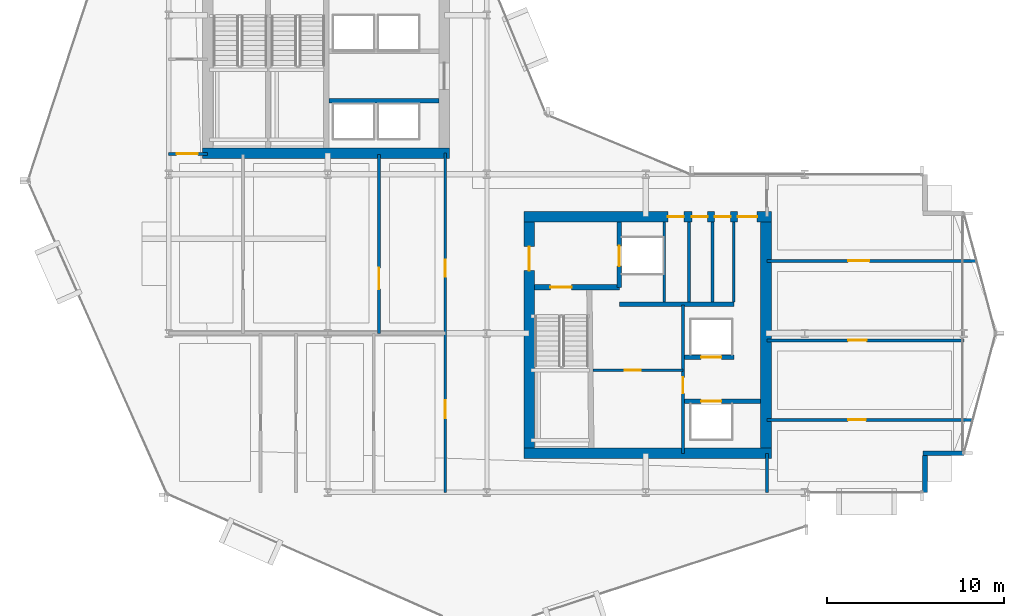
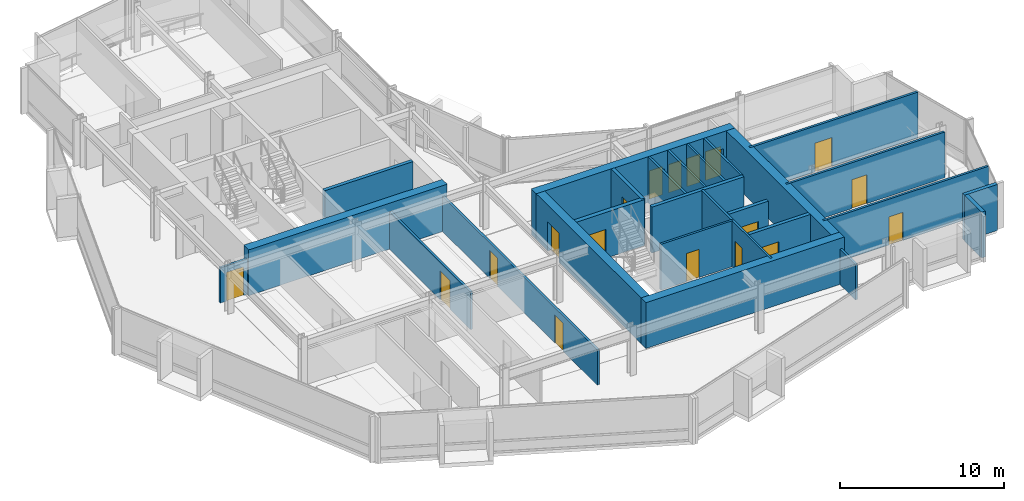
# One storey, part 22 of 29: 26 walls, 18 doors, 18 openings.
"""IFC4 building model written with IfcOpenShell, lengths in metres."""

from ifc_helpers import new_model, si_unit, direction, frame, frame_2d, origin, place, context, subcontext, project, spatial, rectangle, extrude, material, layer, layer_set, type_object, element, fill, save


model = new_model("IFC4")

# Units and contexts
model_context = context("Model", 3, precision=1e-05, world=origin(), true_north=direction((0.0, 1.0)))
body_context = subcontext(model_context, "Body", "Model", "MODEL_VIEW")
ifc_project = project(units=[si_unit("LENGTHUNIT", "METRE"), si_unit("AREAUNIT", "SQUARE_METRE"), si_unit("VOLUMEUNIT", "CUBIC_METRE"), si_unit("PLANEANGLEUNIT", "RADIAN"), si_unit("MASSUNIT", "GRAM", prefix="KILO")], contexts=[model_context])

# Site, building, storey
site_placement = place(None, origin())
site = spatial("IfcSite", under=ifc_project, at=site_placement, CompositionType="ELEMENT")
building_placement = place(site_placement, origin())
building = spatial("IfcBuilding", under=site, at=building_placement, Name="Solvaryn Broadcast Tower", CompositionType="ELEMENT")
storey_placement = place(building_placement, frame((0.0, 0.0, 121.10009765625)))
storey = spatial("IfcBuildingStorey", under=building, at=storey_placement, Name="L29", CompositionType="ELEMENT", Elevation=121.10009765625)

# Walls
ifc_material_1 = material(Name="Concrete f'c 70 MPa", Category="concrete")
ifc_layer_1 = layer(ifc_material_1, 0.60009765625)
ifc_layer_set_1 = layer_set([ifc_layer_1], Name="CW-SHEAR-600")
wall_type_1 = type_object("IfcWallType", Name="CW-SHEAR-600", PredefinedType="SHEAR", material=ifc_layer_set_1)
for number, where, z_axis, x_axis, name in (
    (1, (10.89990234375, 28.199951171875, 0.0), (0.0, 0.0, 1.0), (1.0, 0.0, 0.0), "L29 West Core South Shear Wall"),
    (2, (29.10009765625, 11.199951171875, 0.0), (0.0, 0.0, 1.0), (1.0, 0.0, 0.0), "L29 East Core South Shear Wall"),
):
    element("IfcWall", number, at=place(storey_placement, frame(where, z_axis=z_axis, x_axis=x_axis)), inside=storey, type_object=wall_type_1, Name=name, PredefinedType="SHEAR", context=body_context, shape_type="SweptSolid", body=[
        extrude(rectangle(XDim=14.0, YDim=0.60009765625, at=frame_2d((7.0, 0.0))), origin(), (0.0, 0.0, 1.0), 3.419921875),
    ])

# Wall, openings, doors
wall_1_placement = place(storey_placement, frame((43.10009765625, 24.60009765625, 0.0), z_axis=(0.0, 0.0, 1.0), x_axis=(-1.0, 0.0, 0.0)))
wall_1 = element("IfcWall", 3, at=wall_1_placement, inside=storey, type_object=wall_type_1, Name="L29 East Core North Shear Wall", PredefinedType="SHEAR", context=body_context, shape_type="SweptSolid", body=[
    extrude(rectangle(XDim=14.0, YDim=0.60009765625, at=frame_2d((7.0, 0.0))), origin(), (0.0, 0.0, 1.0), 3.419921875),
])
opening_1_placement = place(wall_1_placement, frame((0.800048828125, 0.0, 0.0)))
opening_1 = element("IfcOpeningElement", 4, at=opening_1_placement, cuts=wall_1, Name="Opening FD90C", PredefinedType="OPENING", context=body_context, shape_type="SweptSolid", body=[
    extrude(rectangle(XDim=1.10009765625, YDim=2.14990234375, at=frame_2d((0.550048828125, 1.074951171875))), frame((0.0, 0.31005859375, 0.0), z_axis=(0.0, -1.0, 0.0), x_axis=(1.0, 0.0, 0.0)), (0.0, 0.0, 1.0), 0.6201171875),
])
opening_2_placement = place(wall_1_placement, frame((2.300048828125, 0.0, 0.0)))
opening_2 = element("IfcOpeningElement", 5, at=opening_2_placement, cuts=wall_1, Name="Opening FD60C", PredefinedType="OPENING", context=body_context, shape_type="SweptSolid", body=[
    extrude(rectangle(XDim=0.89990234375, YDim=2.10009765625, at=frame_2d((0.449951171875, 1.050048828125))), frame((0.0, 0.31005859375, 0.0), z_axis=(0.0, -1.0, 0.0), x_axis=(1.0, 0.0, 0.0)), (0.0, 0.0, 1.0), 0.6201171875),
])
opening_3_placement = place(wall_1_placement, frame((3.60009765625, 0.0, 0.0)))
opening_3 = element("IfcOpeningElement", 6, at=opening_3_placement, cuts=wall_1, Name="Opening FD60C", PredefinedType="OPENING", context=body_context, shape_type="SweptSolid", body=[
    extrude(rectangle(XDim=0.89990234375, YDim=2.10009765625, at=frame_2d((0.449951171875, 1.050048828125))), frame((0.0, 0.31005859375, 0.0), z_axis=(0.0, -1.0, 0.0), x_axis=(1.0, 0.0, 0.0)), (0.0, 0.0, 1.0), 0.6201171875),
])
opening_4_placement = place(wall_1_placement, frame((4.949951171875, 0.0, 0.0)))
opening_4 = element("IfcOpeningElement", 7, at=opening_4_placement, cuts=wall_1, Name="Opening FD60C", PredefinedType="OPENING", context=body_context, shape_type="SweptSolid", body=[
    extrude(rectangle(XDim=0.89990234375, YDim=2.10009765625, at=frame_2d((0.449951171875, 1.050048828125))), frame((0.0, 0.31005859375, 0.0), z_axis=(0.0, -1.0, 0.0), x_axis=(1.0, 0.0, 0.0)), (0.0, 0.0, 1.0), 0.6201171875),
])
ifc_material_2 = material(Name="Flush Acoustic Steel and Timber Door Assembly", Category="steel")
door_type_1 = type_object("IfcDoorType", Name="FD60-SERV-900X2100", OperationType="NOTDEFINED", PredefinedType="DOOR", material=ifc_material_2)
door_1_placement = place(opening_2_placement, origin())
door_1 = element("IfcDoor", 8, at=door_1_placement, inside=storey, type_object=door_type_1, Name="L29 Core Wellness Room Door", OperationType="SINGLE_SWING_RIGHT", OverallHeight=2.10009765625, OverallWidth=0.89990234375, PredefinedType="DOOR", context=body_context, shape_type="SweptSolid", body=[
    extrude(rectangle(XDim=0.89990234375, YDim=2.10009765625, at=frame_2d((0.449951171875, 1.050048828125))), frame((0.0, 0.02490234375, 0.0), z_axis=(0.0, -1.0, 0.0), x_axis=(1.0, 0.0, 0.0)), (0.0, 0.0, 1.0), 0.050048828125),
])
fill(opening_2, door_1)
door_2_placement = place(opening_3_placement, origin())
door_2 = element("IfcDoor", 9, at=door_2_placement, inside=storey, type_object=door_type_1, Name="L29 Staff Restroom Door", OperationType="SINGLE_SWING_LEFT", OverallHeight=2.10009765625, OverallWidth=0.89990234375, PredefinedType="DOOR", context=body_context, shape_type="SweptSolid", body=[
    extrude(rectangle(XDim=0.89990234375, YDim=2.10009765625, at=frame_2d((0.449951171875, 1.050048828125))), frame((0.0, 0.02490234375, 0.0), z_axis=(0.0, -1.0, 0.0), x_axis=(1.0, 0.0, 0.0)), (0.0, 0.0, 1.0), 0.050048828125),
])
fill(opening_3, door_2)
door_3_placement = place(opening_4_placement, origin())
door_3 = element("IfcDoor", 10, at=door_3_placement, inside=storey, type_object=door_type_1, Name="L29 Accessible WC Door", OperationType="SINGLE_SWING_RIGHT", OverallHeight=2.10009765625, OverallWidth=0.89990234375, PredefinedType="DOOR", context=body_context, shape_type="SweptSolid", body=[
    extrude(rectangle(XDim=0.89990234375, YDim=2.10009765625, at=frame_2d((0.449951171875, 1.050048828125))), frame((0.0, 0.02490234375, 0.0), z_axis=(0.0, -1.0, 0.0), x_axis=(1.0, 0.0, 0.0)), (0.0, 0.0, 1.0), 0.050048828125),
])
fill(opening_4, door_3)
ifc_material_3 = material(Name="Flush Acoustic Steel and Timber Door Assembly", Category="steel")
door_type_2 = type_object("IfcDoorType", Name="FD90-PLANT-1100X2150", OperationType="NOTDEFINED", PredefinedType="DOOR", material=ifc_material_3)
door_4_placement = place(opening_1_placement, origin())
door_4 = element("IfcDoor", 11, at=door_4_placement, inside=storey, type_object=door_type_2, Name="L29 East Core Lobby Corridor Door", OperationType="SINGLE_SWING_LEFT", OverallHeight=2.14990234375, OverallWidth=1.10009765625, PredefinedType="DOOR", context=body_context, shape_type="SweptSolid", body=[
    extrude(rectangle(XDim=1.10009765625, YDim=2.14990234375, at=frame_2d((0.550048828125, 1.074951171875))), frame((0.0, 0.02490234375, 0.0), z_axis=(0.0, -1.0, 0.0), x_axis=(1.0, 0.0, 0.0)), (0.0, 0.0, 1.0), 0.050048828125),
])
fill(opening_1, door_4)

# Wall, opening, door
wall_2_placement = place(storey_placement, frame((29.39990234375, 24.300048828125, 0.0), z_axis=(0.0, 0.0, 1.0), x_axis=(0.0, -1.0, 0.0)))
wall_2 = element("IfcWall", 12, at=wall_2_placement, inside=storey, type_object=wall_type_1, Name="L29 East Core West Shear Wall", PredefinedType="SHEAR", context=body_context, shape_type="SweptSolid", body=[
    extrude(rectangle(XDim=12.800048828125, YDim=0.60009765625, at=frame_2d((6.39990234375, 0.0))), origin(), (0.0, 0.0, 1.0), 3.419921875),
])
opening_5_placement = place(wall_2_placement, frame((1.39990234375, 0.0, 0.0)))
opening_5 = element("IfcOpeningElement", 13, at=opening_5_placement, cuts=wall_2, Name="Opening FD90B", PredefinedType="OPENING", context=body_context, shape_type="SweptSolid", body=[
    extrude(rectangle(XDim=1.35009765625, YDim=2.14990234375, at=frame_2d((0.675048828125, 1.074951171875))), frame((0.0, 0.31005859375, 0.0), z_axis=(0.0, -1.0, 0.0), x_axis=(1.0, 0.0, 0.0)), (0.0, 0.0, 1.0), 0.6201171875),
])
ifc_material_4 = material(Name="Flush Acoustic Steel and Timber Door Assembly", Category="steel")
door_type_3 = type_object("IfcDoorType", Name="FD90-LOBBY-1350X2150", OperationType="NOTDEFINED", PredefinedType="DOOR", material=ifc_material_4)
door_5_placement = place(opening_5_placement, origin())
door_5 = element("IfcDoor", 14, at=door_5_placement, inside=storey, type_object=door_type_3, Name="L29 East FSAE Lobby Door", OperationType="SINGLE_SWING_RIGHT", OverallHeight=2.14990234375, OverallWidth=1.35009765625, PredefinedType="DOOR", context=body_context, shape_type="SweptSolid", body=[
    extrude(rectangle(XDim=1.35009765625, YDim=2.14990234375, at=frame_2d((0.675048828125, 1.074951171875))), frame((0.0, 0.02490234375, 0.0), z_axis=(0.0, -1.0, 0.0), x_axis=(1.0, 0.0, 0.0)), (0.0, 0.0, 1.0), 0.050048828125),
])
fill(opening_5, door_5)

# Walls
wall_3_placement = place(storey_placement, frame((42.800048828125, 11.5, 0.0), z_axis=(0.0, 0.0, 1.0), x_axis=(0.0, 1.0, 0.0)))
element("IfcWall", 15, at=wall_3_placement, inside=storey, type_object=wall_type_1, Name="L29 East Core East Shear Wall", PredefinedType="SHEAR", context=body_context, shape_type="SweptSolid", body=[
    extrude(rectangle(XDim=12.800048828125, YDim=0.60009765625, at=frame_2d((6.39990234375, 0.0))), origin(), (0.0, 0.0, 1.0), 3.419921875),
])
ifc_material_5 = material(Name="Concrete f'c 50 MPa", Category="concrete")
ifc_layer_2 = layer(ifc_material_5, 0.260009765625)
ifc_layer_set_2 = layer_set([ifc_layer_2], Name="EW-PIER-260")
wall_type_2 = type_object("IfcWallType", Name="EW-PIER-260", PredefinedType="SOLIDWALL", material=ifc_layer_set_2)
wall_4_placement = place(storey_placement, frame((51.800048828125, 9.0, 0.0), z_axis=(0.0, 0.0, 1.0), x_axis=(0.0, 1.0, 0.0)))
element("IfcWall", 16, at=wall_4_placement, inside=storey, type_object=wall_type_2, Name="L29 Notched Corner Pier Wall NSE1", PredefinedType="SOLIDWALL", context=body_context, shape_type="SweptSolid", body=[
    extrude(rectangle(XDim=2.080078125, YDim=0.260009765625, at=frame_2d((1.0400390625, 0.0))), origin(), (0.0, 0.0, 1.0), 3.419921875),
])
wall_5_placement = place(storey_placement, frame((51.679931640625, 11.199951171875, 0.0), z_axis=(0.0, 0.0, 1.0), x_axis=(1.0, 0.0, 0.0)))
element("IfcWall", 17, at=wall_5_placement, inside=storey, type_object=wall_type_2, Name="L29 Notched Corner Pier Wall NSE2", PredefinedType="SOLIDWALL", context=body_context, shape_type="SweptSolid", body=[
    extrude(rectangle(XDim=2.320068359375, YDim=0.260009765625, at=frame_2d((1.16015625, 0.0))), origin(), (0.0, 0.0, 1.0), 3.419921875),
])

# Wall, opening, door
ifc_material_6 = material(Name="Metal-Stud Service Core Partition")
ifc_layer_3 = layer(ifc_material_6, 0.14990234375)
ifc_layer_set_3 = layer_set([ifc_layer_3], Name="IW-PART-150")
wall_type_3 = type_object("IfcWallType", Name="IW-PART-150", PredefinedType="PARTITIONING", material=ifc_layer_set_3)
wall_6_placement = place(storey_placement, frame((33.0, 15.89990234375, 0.0), z_axis=(0.0, 0.0, 1.0), x_axis=(1.0, 0.0, 0.0)))
wall_6 = element("IfcWall", 18, at=wall_6_placement, inside=storey, type_object=wall_type_3, Name="L29 Interior Partition IW-L29-RPL-H", PredefinedType="PARTITIONING", context=body_context, shape_type="SweptSolid", body=[
    extrude(rectangle(XDim=5.10009765625, YDim=0.14990234375, at=frame_2d((2.550048828125, 0.0))), origin(), (0.0, 0.0, 1.0), 3.419921875),
])
opening_6_placement = place(wall_6_placement, frame((1.800048828125, 0.0, 0.0)))
opening_6 = element("IfcOpeningElement", 19, at=opening_6_placement, cuts=wall_6, Name="Opening FD60C", PredefinedType="OPENING", context=body_context, shape_type="SweptSolid", body=[
    extrude(rectangle(XDim=0.89990234375, YDim=2.10009765625, at=frame_2d((0.449951171875, 1.050048828125))), frame((0.0, 0.0849609375, 0.0), z_axis=(0.0, -1.0, 0.0), x_axis=(1.0, 0.0, 0.0)), (0.0, 0.0, 1.0), 0.169921875),
])
door_6_placement = place(opening_6_placement, origin())
door_6 = element("IfcDoor", 20, at=door_6_placement, inside=storey, type_object=door_type_1, Name="L29 Door DR-L29-RPL1", OperationType="SINGLE_SWING_RIGHT", OverallHeight=2.10009765625, OverallWidth=0.89990234375, PredefinedType="DOOR", context=body_context, shape_type="SweptSolid", body=[
    extrude(rectangle(XDim=0.89990234375, YDim=2.10009765625, at=frame_2d((0.449951171875, 1.050048828125))), frame((0.0, 0.02490234375, 0.0), z_axis=(0.0, -1.0, 0.0), x_axis=(1.0, 0.0, 0.0)), (0.0, 0.0, 1.0), 0.050048828125),
])
fill(opening_6, door_6)

wall_7_placement = place(storey_placement, frame((38.10009765625, 11.199951171875, 0.0), z_axis=(0.0, 0.0, 1.0), x_axis=(0.0, 1.0, 0.0)))
wall_7 = element("IfcWall", 21, at=wall_7_placement, inside=storey, type_object=wall_type_3, Name="L29 Interior Partition IW-L29-RPL-E", PredefinedType="PARTITIONING", context=body_context, shape_type="SweptSolid", body=[
    extrude(rectangle(XDim=8.400146484375, YDim=0.14990234375, at=frame_2d((4.2001953125, 0.0))), origin(), (0.0, 0.0, 1.0), 3.419921875),
])
opening_7_placement = place(wall_7_placement, frame((3.39990234375, 0.0, 0.0)))
opening_7 = element("IfcOpeningElement", 22, at=opening_7_placement, cuts=wall_7, Name="Opening FD60C", PredefinedType="OPENING", context=body_context, shape_type="SweptSolid", body=[
    extrude(rectangle(XDim=0.89990234375, YDim=2.10009765625, at=frame_2d((0.449951171875, 1.050048828125))), frame((0.0, 0.0849609375, 0.0), z_axis=(0.0, -1.0, 0.0), x_axis=(1.0, 0.0, 0.0)), (0.0, 0.0, 1.0), 0.169921875),
])
door_7_placement = place(opening_7_placement, origin())
door_7 = element("IfcDoor", 23, at=door_7_placement, inside=storey, type_object=door_type_1, Name="L29 Door DR-L29-RPL2", OperationType="SINGLE_SWING_LEFT", OverallHeight=2.10009765625, OverallWidth=0.89990234375, PredefinedType="DOOR", context=body_context, shape_type="SweptSolid", body=[
    extrude(rectangle(XDim=0.89990234375, YDim=2.10009765625, at=frame_2d((0.449951171875, 1.050048828125))), frame((0.0, 0.02490234375, 0.0), z_axis=(0.0, -1.0, 0.0), x_axis=(1.0, 0.0, 0.0)), (0.0, 0.0, 1.0), 0.050048828125),
])
fill(opening_7, door_7)

# Walls
for number, where, z_axis, x_axis, name in (
    (24, (37.050048828125, 19.780029296875, 0.0), (0.0, 0.0, 1.0), (0.0, 1.0, 0.0), "L29 Interior Partition IW-L29-CE-FL2E"),
    (25, (38.43994140625, 19.780029296875, 0.0), (0.0, 0.0, 1.0), (0.0, 1.0, 0.0), "L29 Interior Partition IW-L29-CE-V1"),
    (26, (39.77001953125, 19.780029296875, 0.0), (0.0, 0.0, 1.0), (0.0, 1.0, 0.0), "L29 Interior Partition IW-L29-CE-V2"),
    (27, (40.97998046875, 19.780029296875, 0.0), (0.0, 0.0, 1.0), (0.0, 1.0, 0.0), "L29 Interior Partition IW-L29-CE-V3"),
):
    element("IfcWall", number, at=place(storey_placement, frame(where, z_axis=z_axis, x_axis=x_axis)), inside=storey, type_object=wall_type_3, Name=name, PredefinedType="PARTITIONING", context=body_context, shape_type="SweptSolid", body=[
        extrude(rectangle(XDim=4.52001953125, YDim=0.14990234375, at=frame_2d((2.260009765625, 0.0))), origin(), (0.0, 0.0, 1.0), 3.419921875),
    ])

# Wall, opening, door
ifc_material_7 = material(Name="Metal-Stud Gypsum Office Partition")
ifc_layer_4 = layer(ifc_material_7, 0.159912109375)
ifc_layer_set_4 = layer_set([ifc_layer_4], Name="IW-PART-160")
wall_type_4 = type_object("IfcWallType", Name="IW-PART-160", PredefinedType="PARTITIONING", material=ifc_layer_set_4)
wall_8_placement = place(storey_placement, frame((9.0, 28.14990234375, 0.0), z_axis=(0.0, 0.0, 1.0), x_axis=(1.0, 0.0, 0.0)))
wall_8 = element("IfcWall", 28, at=wall_8_placement, inside=storey, type_object=wall_type_4, Name="L29 Interior Partition IW-L29-WM-S", PredefinedType="PARTITIONING", context=body_context, shape_type="SweptSolid", body=[
    extrude(rectangle(XDim=2.199951171875, YDim=0.159912109375, at=frame_2d((1.10009765625, 0.0))), origin(), (0.0, 0.0, 1.0), 2.6337890625),
])
opening_8_placement = place(wall_8_placement, frame((0.449951171875, 0.0, 0.0)))
opening_8 = element("IfcOpeningElement", 29, at=opening_8_placement, cuts=wall_8, Name="Opening ID04", PredefinedType="OPENING", context=body_context, shape_type="SweptSolid", body=[
    extrude(rectangle(XDim=1.199951171875, YDim=2.14990234375, at=frame_2d((0.60009765625, 1.074951171875))), frame((0.0, 0.090087890625, 0.0), z_axis=(0.0, -1.0, 0.0), x_axis=(1.0, 0.0, 0.0)), (0.0, 0.0, 1.0), 0.179931640625),
])
ifc_material_8 = material(Name="Flush Acoustic Steel and Timber Door Assembly", Category="steel")
door_type_4 = type_object("IfcDoorType", Name="ID-04-1200X2150", OperationType="NOTDEFINED", PredefinedType="DOOR", material=ifc_material_8)
door_8_placement = place(opening_8_placement, origin())
door_8 = element("IfcDoor", 30, at=door_8_placement, inside=storey, type_object=door_type_4, Name="L29 Door DR-L29-WM0", OperationType="SINGLE_SWING_LEFT", OverallHeight=2.14990234375, OverallWidth=1.199951171875, PredefinedType="DOOR", context=body_context, shape_type="SweptSolid", body=[
    extrude(rectangle(XDim=1.199951171875, YDim=2.14990234375, at=frame_2d((0.60009765625, 1.074951171875))), frame((0.0, 0.02490234375, 0.0), z_axis=(0.0, -1.0, 0.0), x_axis=(1.0, 0.0, 0.0)), (0.0, 0.0, 1.0), 0.050048828125),
])
fill(opening_8, door_8)

# Wall, openings, doors
wall_9_placement = place(storey_placement, frame((24.64990234375, 9.0, 0.0), z_axis=(0.0, 0.0, 1.0), x_axis=(0.0, 1.0, 0.0)))
wall_9 = element("IfcWall", 31, at=wall_9_placement, inside=storey, type_object=wall_type_4, Name="L29 Interior Partition IW-L29-SW-EB", PredefinedType="PARTITIONING", context=body_context, shape_type="SweptSolid", body=[
    extrude(rectangle(XDim=19.199951171875, YDim=0.159912109375, at=frame_2d((9.60009765625, 0.0))), origin(), (0.0, 0.0, 1.0), 2.6337890625),
])
opening_9_placement = place(wall_9_placement, frame((12.199951171875, 0.0, 0.0)))
opening_9 = element("IfcOpeningElement", 32, at=opening_9_placement, cuts=wall_9, Name="Opening ID01", PredefinedType="OPENING", context=body_context, shape_type="SweptSolid", body=[
    extrude(rectangle(XDim=0.949951171875, YDim=2.10009765625, at=frame_2d((0.47509765625, 1.050048828125))), frame((0.0, 0.090087890625, 0.0), z_axis=(0.0, -1.0, 0.0), x_axis=(1.0, 0.0, 0.0)), (0.0, 0.0, 1.0), 0.179931640625),
])
opening_10_placement = place(wall_9_placement, frame((4.199951171875, 0.0, 0.0)))
opening_10 = element("IfcOpeningElement", 33, at=opening_10_placement, cuts=wall_9, Name="Opening ID02", PredefinedType="OPENING", context=body_context, shape_type="SweptSolid", body=[
    extrude(rectangle(XDim=1.0, YDim=2.10009765625, at=frame_2d((0.5, 1.050048828125))), frame((0.0, 0.090087890625, 0.0), z_axis=(0.0, -1.0, 0.0), x_axis=(1.0, 0.0, 0.0)), (0.0, 0.0, 1.0), 0.179931640625),
])
ifc_material_9 = material(Name="Flush Acoustic Steel and Timber Door Assembly", Category="steel")
door_type_5 = type_object("IfcDoorType", Name="ID-01-950X2100", OperationType="NOTDEFINED", PredefinedType="DOOR", material=ifc_material_9)
door_9_placement = place(opening_9_placement, origin())
door_9 = element("IfcDoor", 34, at=door_9_placement, inside=storey, type_object=door_type_5, Name="L29 Door DR-L29-SW-EN", OperationType="SINGLE_SWING_LEFT", OverallHeight=2.10009765625, OverallWidth=0.949951171875, PredefinedType="DOOR", context=body_context, shape_type="SweptSolid", body=[
    extrude(rectangle(XDim=0.949951171875, YDim=2.10009765625, at=frame_2d((0.47509765625, 1.050048828125))), frame((0.0, 0.02490234375, 0.0), z_axis=(0.0, -1.0, 0.0), x_axis=(1.0, 0.0, 0.0)), (0.0, 0.0, 1.0), 0.050048828125),
])
fill(opening_9, door_9)
ifc_material_10 = material(Name="Flush Acoustic Steel and Timber Door Assembly", Category="steel")
door_type_6 = type_object("IfcDoorType", Name="ID-02-1000X2100", OperationType="NOTDEFINED", PredefinedType="DOOR", material=ifc_material_10)
door_10_placement = place(opening_10_placement, origin())
door_10 = element("IfcDoor", 35, at=door_10_placement, inside=storey, type_object=door_type_6, Name="L29 Door DR-L29-SW-ES", OperationType="SINGLE_SWING_RIGHT", OverallHeight=2.10009765625, OverallWidth=1.0, PredefinedType="DOOR", context=body_context, shape_type="SweptSolid", body=[
    extrude(rectangle(XDim=1.0, YDim=2.10009765625, at=frame_2d((0.5, 1.050048828125))), frame((0.0, 0.02490234375, 0.0), z_axis=(0.0, -1.0, 0.0), x_axis=(1.0, 0.0, 0.0)), (0.0, 0.0, 1.0), 0.050048828125),
])
fill(opening_10, door_10)

# Wall, opening, door
wall_10_placement = place(storey_placement, frame((20.89990234375, 18.0, 0.0), z_axis=(0.0, 0.0, 1.0), x_axis=(0.0, 1.0, 0.0)))
wall_10 = element("IfcWall", 36, at=wall_10_placement, inside=storey, type_object=wall_type_4, Name="L29 Interior Partition IW-L29-SWN-V2", PredefinedType="PARTITIONING", context=body_context, shape_type="SweptSolid", body=[
    extrude(rectangle(XDim=10.1298828125, YDim=0.159912109375, at=frame_2d((5.06494140625, 0.0))), origin(), (0.0, 0.0, 1.0), 2.788818359375),
])
opening_11_placement = place(wall_10_placement, frame((2.5, 0.0, 0.0)))
opening_11 = element("IfcOpeningElement", 37, at=opening_11_placement, cuts=wall_10, Name="Opening ID04", PredefinedType="OPENING", context=body_context, shape_type="SweptSolid", body=[
    extrude(rectangle(XDim=1.199951171875, YDim=2.14990234375, at=frame_2d((0.60009765625, 1.074951171875))), frame((0.0, 0.090087890625, 0.0), z_axis=(0.0, -1.0, 0.0), x_axis=(1.0, 0.0, 0.0)), (0.0, 0.0, 1.0), 0.179931640625),
])
door_11_placement = place(opening_11_placement, origin())
door_11 = element("IfcDoor", 38, at=door_11_placement, inside=storey, type_object=door_type_4, Name="L29 Door DR-L29-SWN-2", OperationType="SINGLE_SWING_RIGHT", OverallHeight=2.14990234375, OverallWidth=1.199951171875, PredefinedType="DOOR", context=body_context, shape_type="SweptSolid", body=[
    extrude(rectangle(XDim=1.199951171875, YDim=2.14990234375, at=frame_2d((0.60009765625, 1.074951171875))), frame((0.0, 0.02490234375, 0.0), z_axis=(0.0, -1.0, 0.0), x_axis=(1.0, 0.0, 0.0)), (0.0, 0.0, 1.0), 0.050048828125),
])
fill(opening_11, door_11)

# Wall
wall_11_placement = place(storey_placement, frame((42.85009765625, 9.0, 0.0), z_axis=(0.0, 0.0, 1.0), x_axis=(0.0, 1.0, 0.0)))
element("IfcWall", 39, at=wall_11_placement, inside=storey, type_object=wall_type_4, Name="L29 Interior Partition IW-L29-SC-E", PredefinedType="PARTITIONING", context=body_context, shape_type="SweptSolid", body=[
    extrude(rectangle(XDim=2.199951171875, YDim=0.159912109375, at=frame_2d((1.10009765625, 0.0))), origin(), (0.0, 0.0, 1.0), 2.6337890625),
])

# Wall, opening, door
wall_12_placement = place(storey_placement, frame((42.85009765625, 13.10009765625, 0.0), z_axis=(0.0, 0.0, 1.0), x_axis=(1.0, 0.0, 0.0)))
wall_12 = element("IfcWall", 40, at=wall_12_placement, inside=storey, type_object=wall_type_4, Name="L29 Interior Partition IW-L29-EW-H1", PredefinedType="PARTITIONING", context=body_context, shape_type="SweptSolid", body=[
    extrude(rectangle(XDim=11.65283203125, YDim=0.159912109375, at=frame_2d((5.826416015625, 0.0))), origin(), (0.0, 0.0, 1.0), 3.419921875),
])
opening_12_placement = place(wall_12_placement, frame((4.60009765625, 0.0, 0.0)))
opening_12 = element("IfcOpeningElement", 41, at=opening_12_placement, cuts=wall_12, Name="Opening ID02", PredefinedType="OPENING", context=body_context, shape_type="SweptSolid", body=[
    extrude(rectangle(XDim=1.0, YDim=2.10009765625, at=frame_2d((0.5, 1.050048828125))), frame((0.0, 0.090087890625, 0.0), z_axis=(0.0, -1.0, 0.0), x_axis=(1.0, 0.0, 0.0)), (0.0, 0.0, 1.0), 0.179931640625),
])
door_12_placement = place(opening_12_placement, origin())
door_12 = element("IfcDoor", 42, at=door_12_placement, inside=storey, type_object=door_type_6, Name="L29 Door DR-L29-EW-1", OperationType="SINGLE_SWING_RIGHT", OverallHeight=2.10009765625, OverallWidth=1.0, PredefinedType="DOOR", context=body_context, shape_type="SweptSolid", body=[
    extrude(rectangle(XDim=1.0, YDim=2.10009765625, at=frame_2d((0.5, 1.050048828125))), frame((0.0, 0.02490234375, 0.0), z_axis=(0.0, -1.0, 0.0), x_axis=(1.0, 0.0, 0.0)), (0.0, 0.0, 1.0), 0.050048828125),
])
fill(opening_12, door_12)

wall_13_placement = place(storey_placement, frame((42.85009765625, 17.60009765625, 0.0), z_axis=(0.0, 0.0, 1.0), x_axis=(1.0, 0.0, 0.0)))
wall_13 = element("IfcWall", 43, at=wall_13_placement, inside=storey, type_object=wall_type_4, Name="L29 Interior Partition IW-L29-EW-H2", PredefinedType="PARTITIONING", context=body_context, shape_type="SweptSolid", body=[
    extrude(rectangle(XDim=11.14990234375, YDim=0.159912109375, at=frame_2d((5.574951171875, 0.0))), origin(), (0.0, 0.0, 1.0), 3.419921875),
])
opening_13_placement = place(wall_13_placement, frame((4.60009765625, 0.0, 0.0)))
opening_13 = element("IfcOpeningElement", 44, at=opening_13_placement, cuts=wall_13, Name="Opening ID03", PredefinedType="OPENING", context=body_context, shape_type="SweptSolid", body=[
    extrude(rectangle(XDim=1.050048828125, YDim=2.14990234375, at=frame_2d((0.52490234375, 1.074951171875))), frame((0.0, 0.090087890625, 0.0), z_axis=(0.0, -1.0, 0.0), x_axis=(1.0, 0.0, 0.0)), (0.0, 0.0, 1.0), 0.179931640625),
])
ifc_material_11 = material(Name="Flush Acoustic Steel and Timber Door Assembly", Category="steel")
door_type_7 = type_object("IfcDoorType", Name="ID-03-1050X2150", OperationType="NOTDEFINED", PredefinedType="DOOR", material=ifc_material_11)
door_13_placement = place(opening_13_placement, origin())
door_13 = element("IfcDoor", 45, at=door_13_placement, inside=storey, type_object=door_type_7, Name="L29 Door DR-L29-EW-2", OperationType="SINGLE_SWING_LEFT", OverallHeight=2.14990234375, OverallWidth=1.050048828125, PredefinedType="DOOR", context=body_context, shape_type="SweptSolid", body=[
    extrude(rectangle(XDim=1.050048828125, YDim=2.14990234375, at=frame_2d((0.52490234375, 1.074951171875))), frame((0.0, 0.02490234375, 0.0), z_axis=(0.0, -1.0, 0.0), x_axis=(1.0, 0.0, 0.0)), (0.0, 0.0, 1.0), 0.050048828125),
])
fill(opening_13, door_13)

wall_14_placement = place(storey_placement, frame((42.85009765625, 22.10009765625, 0.0), z_axis=(0.0, 0.0, 1.0), x_axis=(1.0, 0.0, 0.0)))
wall_14 = element("IfcWall", 46, at=wall_14_placement, inside=storey, type_object=wall_type_4, Name="L29 Interior Partition IW-L29-EW-H3", PredefinedType="PARTITIONING", context=body_context, shape_type="SweptSolid", body=[
    extrude(rectangle(XDim=11.864990234375, YDim=0.159912109375, at=frame_2d((5.9326171875, 0.0))), origin(), (0.0, 0.0, 1.0), 3.419921875),
])
opening_14_placement = place(wall_14_placement, frame((4.60009765625, 0.0, 0.0)))
opening_14 = element("IfcOpeningElement", 47, at=opening_14_placement, cuts=wall_14, Name="Opening ID04", PredefinedType="OPENING", context=body_context, shape_type="SweptSolid", body=[
    extrude(rectangle(XDim=1.199951171875, YDim=2.14990234375, at=frame_2d((0.60009765625, 1.074951171875))), frame((0.0, 0.090087890625, 0.0), z_axis=(0.0, -1.0, 0.0), x_axis=(1.0, 0.0, 0.0)), (0.0, 0.0, 1.0), 0.179931640625),
])
door_14_placement = place(opening_14_placement, origin())
door_14 = element("IfcDoor", 48, at=door_14_placement, inside=storey, type_object=door_type_4, Name="L29 Door DR-L29-EW-3", OperationType="SINGLE_SWING_RIGHT", OverallHeight=2.14990234375, OverallWidth=1.199951171875, PredefinedType="DOOR", context=body_context, shape_type="SweptSolid", body=[
    extrude(rectangle(XDim=1.199951171875, YDim=2.14990234375, at=frame_2d((0.60009765625, 1.074951171875))), frame((0.0, 0.02490234375, 0.0), z_axis=(0.0, -1.0, 0.0), x_axis=(1.0, 0.0, 0.0)), (0.0, 0.0, 1.0), 0.050048828125),
])
fill(opening_14, door_14)

# Wall
ifc_material_12 = material(Name="Concrete f'c 60 MPa", Category="concrete")
ifc_layer_5 = layer(ifc_material_12, 0.25)
ifc_layer_set_5 = layer_set([ifc_layer_5], Name="SW-SHAFT-250")
wall_type_5 = type_object("IfcWallType", Name="SW-SHAFT-250", PredefinedType="PARTITIONING", material=ifc_layer_set_5)
wall_15_placement = place(storey_placement, frame((18.070068359375, 31.14990234375, 0.0), z_axis=(0.0, 0.0, 1.0), x_axis=(1.0, 0.0, 0.0)))
element("IfcWall", 49, at=wall_15_placement, inside=storey, type_object=wall_type_5, Name="L29 High-Rise Lift Bank South Wall", PredefinedType="PARTITIONING", context=body_context, shape_type="SweptSolid", body=[
    extrude(rectangle(XDim=6.22998046875, YDim=0.25, at=frame_2d((3.114990234375, 0.0))), origin(), (0.0, 0.0, 1.0), 3.419921875),
])

# Wall, opening, door
wall_16_placement = place(storey_placement, frame((34.5, 20.60009765625, 0.0), z_axis=(0.0, 0.0, 1.0), x_axis=(0.0, 1.0, 0.0)))
wall_16 = element("IfcWall", 50, at=wall_16_placement, inside=storey, type_object=wall_type_5, Name="L29 East FSAE Lobby East Wall", PredefinedType="PARTITIONING", context=body_context, shape_type="SweptSolid", body=[
    extrude(rectangle(XDim=3.699951171875, YDim=0.25, at=frame_2d((1.85009765625, 0.0))), origin(), (0.0, 0.0, 1.0), 3.419921875),
])
opening_15_placement = place(wall_16_placement, frame((1.199951171875, 0.0, 0.0)))
opening_15 = element("IfcOpeningElement", 51, at=opening_15_placement, cuts=wall_16, Name="Opening LD01", PredefinedType="OPENING", context=body_context, shape_type="SweptSolid", body=[
    extrude(rectangle(XDim=1.14990234375, YDim=2.14990234375, at=frame_2d((0.574951171875, 1.074951171875))), frame((0.0, 0.135009765625, 0.0), z_axis=(0.0, -1.0, 0.0), x_axis=(1.0, 0.0, 0.0)), (0.0, 0.0, 1.0), 0.27001953125),
])
ifc_material_13 = material(Name="Flush Acoustic Steel and Timber Door Assembly", Category="steel")
door_type_8 = type_object("IfcDoorType", Name="LD-LIFT-1150X2150", OperationType="NOTDEFINED", PredefinedType="DOOR", material=ifc_material_13)
door_15_placement = place(opening_15_placement, origin())
door_15 = element("IfcDoor", 52, at=door_15_placement, inside=storey, type_object=door_type_8, Name="L29 FL2 Lift Landing Door", OperationType="DOUBLE_DOOR_SLIDING", OverallHeight=2.14990234375, OverallWidth=1.14990234375, PredefinedType="DOOR", context=body_context, shape_type="SweptSolid", body=[
    extrude(rectangle(XDim=1.14990234375, YDim=2.14990234375, at=frame_2d((0.574951171875, 1.074951171875))), frame((0.0, 0.02490234375, 0.0), z_axis=(0.0, -1.0, 0.0), x_axis=(1.0, 0.0, 0.0)), (0.0, 0.0, 1.0), 0.050048828125),
])
fill(opening_15, door_15)

# Wall
wall_17_placement = place(storey_placement, frame((34.5, 19.64990234375, 0.0), z_axis=(0.0, 0.0, 1.0), x_axis=(1.0, 0.0, 0.0)))
element("IfcWall", 53, at=wall_17_placement, inside=storey, type_object=wall_type_5, Name="L29 East Core Restroom South Wall", PredefinedType="PARTITIONING", context=body_context, shape_type="SweptSolid", body=[
    extrude(rectangle(XDim=6.47998046875, YDim=0.25, at=frame_2d((3.239990234375, 0.0))), origin(), (0.0, 0.0, 1.0), 3.419921875),
])

# Wall, opening, door
wall_18_placement = place(storey_placement, frame((38.199951171875, 14.14990234375, 0.0), z_axis=(0.0, 0.0, 1.0), x_axis=(1.0, 0.0, 0.0)))
wall_18 = element("IfcWall", 54, at=wall_18_placement, inside=storey, type_object=wall_type_5, Name="L29 East Lift Bank South Wall", PredefinedType="PARTITIONING", context=body_context, shape_type="SweptSolid", body=[
    extrude(rectangle(XDim=4.300048828125, YDim=0.25, at=frame_2d((2.14990234375, 0.0))), origin(), (0.0, 0.0, 1.0), 3.419921875),
])
opening_16_placement = place(wall_18_placement, frame((0.925048828125, 0.0, 0.0)))
opening_16 = element("IfcOpeningElement", 55, at=opening_16_placement, cuts=wall_18, Name="Opening LD01", PredefinedType="OPENING", context=body_context, shape_type="SweptSolid", body=[
    extrude(rectangle(XDim=1.14990234375, YDim=2.14990234375, at=frame_2d((0.574951171875, 1.074951171875))), frame((0.0, 0.135009765625, 0.0), z_axis=(0.0, -1.0, 0.0), x_axis=(1.0, 0.0, 0.0)), (0.0, 0.0, 1.0), 0.27001953125),
])
door_16_placement = place(opening_16_placement, origin())
door_16 = element("IfcDoor", 56, at=door_16_placement, inside=storey, type_object=door_type_8, Name="L29 PM1 Lift Landing Door", OperationType="DOUBLE_DOOR_SLIDING", OverallHeight=2.14990234375, OverallWidth=1.14990234375, PredefinedType="DOOR", context=body_context, shape_type="SweptSolid", body=[
    extrude(rectangle(XDim=1.14990234375, YDim=2.14990234375, at=frame_2d((0.574951171875, 1.074951171875))), frame((0.0, 0.02490234375, 0.0), z_axis=(0.0, -1.0, 0.0), x_axis=(1.0, 0.0, 0.0)), (0.0, 0.0, 1.0), 0.050048828125),
])
fill(opening_16, door_16)

wall_19_placement = place(storey_placement, frame((40.97998046875, 16.64990234375, 0.0), z_axis=(0.0, 0.0, 1.0), x_axis=(-1.0, 0.0, 0.0)))
wall_19 = element("IfcWall", 57, at=wall_19_placement, inside=storey, type_object=wall_type_5, Name="L29 East Lift Bank North Wall", PredefinedType="PARTITIONING", context=body_context, shape_type="SweptSolid", body=[
    extrude(rectangle(XDim=2.780029296875, YDim=0.25, at=frame_2d((1.39013671875, 0.0))), origin(), (0.0, 0.0, 1.0), 3.419921875),
])
opening_17_placement = place(wall_19_placement, frame((0.705078125, 0.0, 0.0)))
opening_17 = element("IfcOpeningElement", 58, at=opening_17_placement, cuts=wall_19, Name="Opening LD01", PredefinedType="OPENING", context=body_context, shape_type="SweptSolid", body=[
    extrude(rectangle(XDim=1.14990234375, YDim=2.14990234375, at=frame_2d((0.574951171875, 1.074951171875))), frame((0.0, 0.135009765625, 0.0), z_axis=(0.0, -1.0, 0.0), x_axis=(1.0, 0.0, 0.0)), (0.0, 0.0, 1.0), 0.27001953125),
])
door_17_placement = place(opening_17_placement, origin())
door_17 = element("IfcDoor", 59, at=door_17_placement, inside=storey, type_object=door_type_8, Name="L29 PM2 Lift Landing Door", OperationType="DOUBLE_DOOR_SLIDING", OverallHeight=2.14990234375, OverallWidth=1.14990234375, PredefinedType="DOOR", context=body_context, shape_type="SweptSolid", body=[
    extrude(rectangle(XDim=1.14990234375, YDim=2.14990234375, at=frame_2d((0.574951171875, 1.074951171875))), frame((0.0, 0.02490234375, 0.0), z_axis=(0.0, -1.0, 0.0), x_axis=(1.0, 0.0, 0.0)), (0.0, 0.0, 1.0), 0.050048828125),
])
fill(opening_17, door_17)

ifc_material_14 = material(Name="Concrete f'c 70 MPa", Category="concrete")
ifc_layer_6 = layer(ifc_material_14, 0.300048828125)
ifc_layer_set_6 = layer_set([ifc_layer_6], Name="SW-SHAFT-300")
wall_type_6 = type_object("IfcWallType", Name="SW-SHAFT-300", PredefinedType="SHEAR", material=ifc_layer_set_6)
wall_20_placement = place(storey_placement, frame((34.5, 20.60009765625, 0.0), z_axis=(0.0, 0.0, 1.0), x_axis=(-1.0, 0.0, 0.0)))
wall_20 = element("IfcWall", 60, at=wall_20_placement, inside=storey, type_object=wall_type_6, Name="L29 East FSAE Lobby South Wall", PredefinedType="SHEAR", context=body_context, shape_type="SweptSolid", body=[
    extrude(rectangle(XDim=4.800048828125, YDim=0.300048828125, at=frame_2d((2.39990234375, 0.0))), origin(), (0.0, 0.0, 1.0), 3.419921875),
])
opening_18_placement = place(wall_20_placement, frame((2.699951171875, 0.0, 0.0)))
opening_18 = element("IfcOpeningElement", 61, at=opening_18_placement, cuts=wall_20, Name="Opening FD90A", PredefinedType="OPENING", context=body_context, shape_type="SweptSolid", body=[
    extrude(rectangle(XDim=1.199951171875, YDim=2.14990234375, at=frame_2d((0.60009765625, 1.074951171875))), frame((0.0, 0.159912109375, 0.0), z_axis=(0.0, -1.0, 0.0), x_axis=(1.0, 0.0, 0.0)), (0.0, 0.0, 1.0), 0.320068359375),
])
ifc_material_15 = material(Name="Flush Acoustic Steel and Timber Door Assembly", Category="steel")
door_type_9 = type_object("IfcDoorType", Name="FD90-STAIR-1200X2150", OperationType="NOTDEFINED", PredefinedType="DOOR", material=ifc_material_15)
door_18_placement = place(opening_18_placement, origin())
door_18 = element("IfcDoor", 62, at=door_18_placement, inside=storey, type_object=door_type_9, Name="L29 Stair 3 Fire Door", OperationType="SINGLE_SWING_LEFT", OverallHeight=2.14990234375, OverallWidth=1.199951171875, PredefinedType="DOOR", context=body_context, shape_type="SweptSolid", body=[
    extrude(rectangle(XDim=1.199951171875, YDim=2.14990234375, at=frame_2d((0.60009765625, 1.074951171875))), frame((0.0, 0.02490234375, 0.0), z_axis=(0.0, -1.0, 0.0), x_axis=(1.0, 0.0, 0.0)), (0.0, 0.0, 1.0), 0.050048828125),
])
fill(opening_18, door_18)

save(model, "model.ifc")
